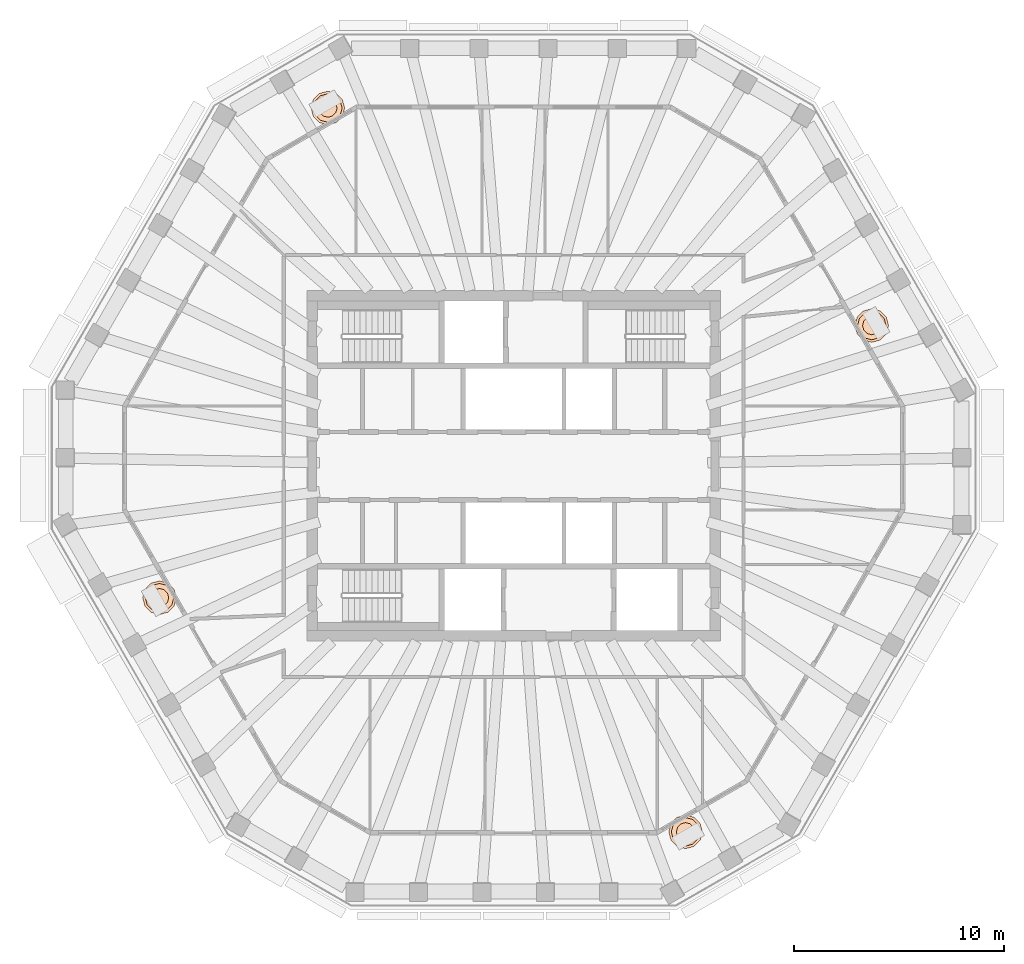
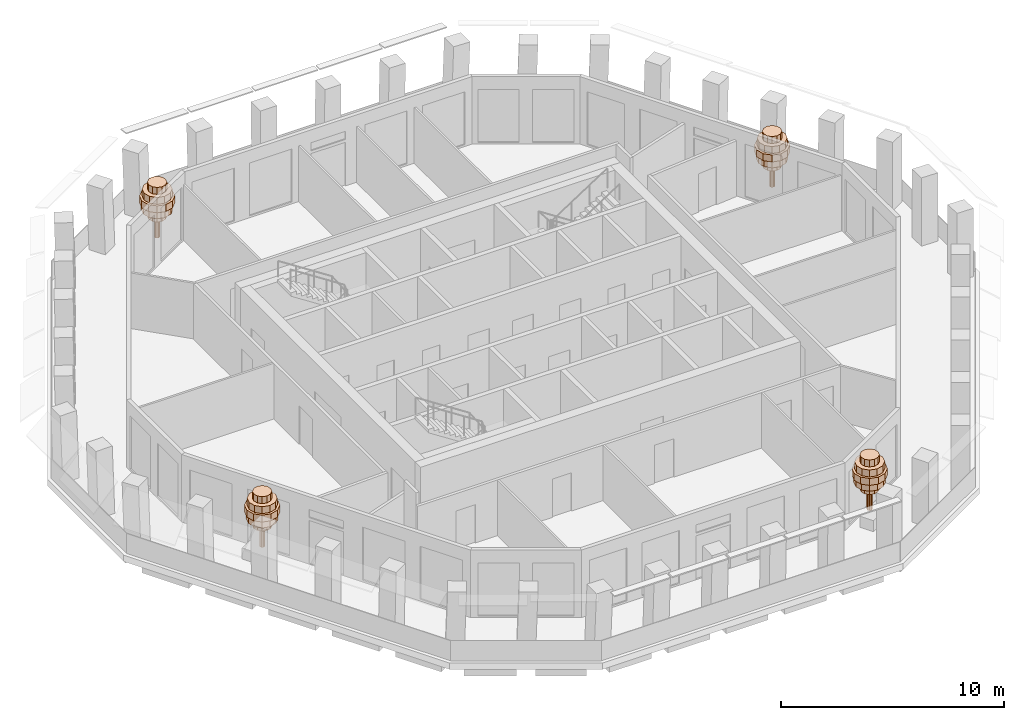
# One storey, part 11 of 11: 4 geographic elements.
"""IFC4 building model written with IfcOpenShell, lengths in metres."""

import ifcopenshell
import ifcopenshell.guid

model = None  # the IFC model being written
_history = None  # IfcOwnerHistory: only IFC2X3 demands one
_inside = {}  # id of a spatial element -> (the spatial element, [elements in it])
_under = {}  # id of a project, library or spatial element -> (it, [spatial elements below it])
_declared = {}  # id of a project -> (the project, [libraries it declares])
_typed = {}  # id of a type object -> (the type object, [elements of that type])
_made_of = {}  # id of a material, layer set ... -> (it, [elements and type objects made of it])


def new_model(schema):
    """Start an empty IFC model of exactly this schema.

    Asked for "IFC4X3", IfcOpenShell would pick the latest addendum, in which some entities
    have other attributes; the version numbers below select the first issue.
    IFC2X3 requires an IfcOwnerHistory on every rooted entity: one is made here for all.
    """
    global model, _history
    if schema == "IFC4X3":
        model = ifcopenshell.file(schema_version=(4, 3, 0, 0))
    else:
        model = ifcopenshell.file(schema=schema)
    _inside.clear()
    _under.clear()
    _declared.clear()
    _typed.clear()
    _made_of.clear()
    _history = None
    if model.schema == "IFC2X3":
        org = make("IfcOrganization", Name="unknown")
        user = make(
            "IfcPersonAndOrganization",
            ThePerson=make("IfcPerson", FamilyName="unknown"),
            TheOrganization=org,
        )
        app = make(
            "IfcApplication",
            ApplicationDeveloper=org,
            Version="unknown",
            ApplicationFullName="unknown",
            ApplicationIdentifier="unknown",
        )
        _history = make(
            "IfcOwnerHistory",
            OwningUser=user,
            OwningApplication=app,
            ChangeAction="ADDED",
            CreationDate=0,
        )
    return model


def make(cls, **values):
    """One entity of the class cls with the attributes given. An attribute that is None is left unset."""
    return model.create_entity(
        cls, **{name: value for name, value in values.items() if value is not None}
    )


def rooted(cls, **values):
    """An entity with a GlobalId (a new one), such as an element, a storey or a relation."""
    return make(cls, GlobalId=ifcopenshell.guid.new(), OwnerHistory=_history, **values)


def si_unit(unit_type, name, prefix=None):
    """IfcSIUnit, for example si_unit("LENGTHUNIT", "METRE", prefix="MILLI")."""
    return make("IfcSIUnit", UnitType=unit_type, Prefix=prefix, Name=name)


def assignment(units):
    """IfcUnitAssignment: the units of a project."""
    return None if units is None else make("IfcUnitAssignment", Units=units)


def point(xyz):
    """IfcCartesianPoint."""
    return None if xyz is None else make("IfcCartesianPoint", Coordinates=xyz)


def direction(xyz):
    """IfcDirection."""
    return None if xyz is None else make("IfcDirection", DirectionRatios=xyz)


def frame(location, z_axis=None, x_axis=None):
    """IfcAxis2Placement3D, a coordinate frame: its origin and axes. An axis left out is left unset."""
    return make(
        "IfcAxis2Placement3D",
        Location=point(location),
        Axis=direction(z_axis),
        RefDirection=direction(x_axis),
    )


def origin():
    """The frame at (0, 0, 0) with its axes left unset."""
    return frame((0.0, 0.0, 0.0))


def place(relative_to, where):
    """IfcLocalPlacement: puts the frame where relative to a parent placement (None: the world)."""
    return make(
        "IfcLocalPlacement", PlacementRelTo=relative_to, RelativePlacement=where
    )


def context(
    kind, dimensions, precision=None, world=None, true_north=None, identifier=None
):
    """IfcGeometricRepresentationContext, for example the 3D "Model" context."""
    return make(
        "IfcGeometricRepresentationContext",
        ContextIdentifier=identifier,
        ContextType=kind,
        CoordinateSpaceDimension=dimensions,
        Precision=precision,
        WorldCoordinateSystem=world,
        TrueNorth=true_north,
    )


def subcontext(parent, identifier, kind, view, scale=None):
    """IfcGeometricRepresentationSubContext, for example "Body" below "Model"."""
    return make(
        "IfcGeometricRepresentationSubContext",
        ContextIdentifier=identifier,
        ContextType=kind,
        ParentContext=parent,
        TargetScale=scale,
        TargetView=view,
    )


def project(units=None, contexts=None):
    """IfcProject with its units and contexts."""
    return rooted(
        "IfcProject",
        Name="project",
        RepresentationContexts=contexts,
        UnitsInContext=assignment(units),
    )


def spatial(cls, under=None, at=None, **own):
    """A site, building, storey or space (cls), placed at a placement, below another one or the project."""
    s = rooted(cls, ObjectPlacement=at, **own)
    if under is not None:
        _under.setdefault(under.id(), (under, []))[1].append(s)
    return s


def polyline(points):
    """IfcPolyline through the points."""
    return make("IfcPolyline", Points=[point(p) for p in points])


def outline(outer, holes=None, kind="AREA"):
    """IfcArbitraryClosedProfileDef: a profile drawn as a closed curve; with holes, ...WithVoids."""
    if holes is None:
        return make("IfcArbitraryClosedProfileDef", ProfileType=kind, OuterCurve=outer)
    return make(
        "IfcArbitraryProfileDefWithVoids",
        ProfileType=kind,
        OuterCurve=outer,
        InnerCurves=holes,
    )


def extrude(swept, where, along, depth):
    """IfcExtrudedAreaSolid: the profile swept, set in the frame where, extruded along a direction by depth."""
    return make(
        "IfcExtrudedAreaSolid",
        SweptArea=swept,
        Position=where,
        ExtrudedDirection=direction(along),
        Depth=depth,
    )


def shape(context_of_items, identifier, shape_type, items):
    """IfcShapeRepresentation: the items that make up one representation, for example the "Body"."""
    return make(
        "IfcShapeRepresentation",
        ContextOfItems=context_of_items,
        RepresentationIdentifier=identifier,
        RepresentationType=shape_type,
        Items=items,
    )


def material(Name=None, Category=None):
    """IfcMaterial."""
    return make("IfcMaterial", Name=Name, Category=Category)


def made_of(thing, what):
    """Note that an element or type object is made of a material, layer set ...; save() writes the relation."""
    if what is not None:
        _made_of.setdefault(what.id(), (what, []))[1].append(thing)
    return thing


def type_object(cls, material=None, **own):
    """A type object (cls), such as IfcWallType, which elements share."""
    return made_of(rooted(cls, **own), material)


def element(
    cls,
    number,
    at=None,
    inside=None,
    cuts=None,
    type_object=None,
    material=None,
    context=None,
    identifier="Body",
    shape_type=None,
    held_by="IfcProductDefinitionShape",
    body=None,
    shapes=None,
    **own,
):
    """One element of the class cls, such as IfcWall. Its Tag is "e" and its number.

    at: its placement. inside: the storey or other place that contains it. cuts: it is an
    opening in that element (IfcRelVoidsElement). A single representation is given by context,
    identifier, shape_type and body (its items); several are given by shapes. held_by: the class
    of the entity that holds the representations. save() writes the other relations.
    """
    e = rooted(cls, Tag="e%d" % number, ObjectPlacement=at, **own)
    if body is not None:
        shapes = [shape(context, identifier, shape_type, body)]
    if shapes is not None:
        e.Representation = make(held_by, Representations=shapes)
    if inside is not None:
        _inside.setdefault(inside.id(), (inside, []))[1].append(e)
    if cuts is not None:
        rooted(
            "IfcRelVoidsElement", RelatingBuildingElement=cuts, RelatedOpeningElement=e
        )
    if type_object is not None:
        _typed.setdefault(type_object.id(), (type_object, []))[1].append(e)
    return made_of(e, material)


def aggregate(whole, parts):
    """IfcRelAggregates: a whole, such as a stair, and the parts it consists of."""
    return rooted("IfcRelAggregates", RelatingObject=whole, RelatedObjects=parts)


def save(model, path):
    """Write the relations noted so far, then the file.

    IfcRelAggregates (storeys below a building ...), IfcRelContainedInSpatialStructure (elements
    in a storey), IfcRelDefinesByType, IfcRelAssociatesMaterial and IfcRelDeclares: one each for
    every whole, place, type object, material and project.
    """
    for whole, parts in _under.values():
        aggregate(whole, parts)
    for where, things in _inside.values():
        rooted(
            "IfcRelContainedInSpatialStructure",
            RelatedElements=things,
            RelatingStructure=where,
        )
    for kind, things in _typed.values():
        rooted("IfcRelDefinesByType", RelatedObjects=things, RelatingType=kind)
    for what, things in _made_of.values():
        rooted("IfcRelAssociatesMaterial", RelatedObjects=things, RelatingMaterial=what)
    for by, libraries in _declared.values():
        rooted("IfcRelDeclares", RelatingContext=by, RelatedDefinitions=libraries)
    model.write(path)


model = new_model("IFC4")

# Units and contexts
model_context = context("Model", 3, precision=1e-05, world=origin(), true_north=direction((0.0, 1.0)))
body_context = subcontext(model_context, "Body", "Model", "MODEL_VIEW")
ifc_project = project(units=[si_unit("LENGTHUNIT", "METRE"), si_unit("AREAUNIT", "SQUARE_METRE"), si_unit("VOLUMEUNIT", "CUBIC_METRE"), si_unit("PLANEANGLEUNIT", "RADIAN"), si_unit("MASSUNIT", "GRAM", prefix="KILO")], contexts=[model_context])

# Site, building, storey
site_placement = place(None, origin())
site = spatial("IfcSite", under=ifc_project, at=site_placement, CompositionType="ELEMENT")
building_placement = place(site_placement, origin())
building = spatial("IfcBuilding", under=site, at=building_placement, Name="Frailejon Research Tower", CompositionType="ELEMENT")
storey_placement = place(building_placement, frame((0.0, 0.0, 320.60009765625)))
storey = spatial("IfcBuildingStorey", under=building, at=storey_placement, Name="L71", CompositionType="ELEMENT", Elevation=320.60009765625)

# Geographic elements
ifc_material = material(Name="Foliage, green")
geographic_element_type = type_object("IfcGeographicElementType", Name="Frailejon tree, loggia", PredefinedType="USERDEFINED", material=ifc_material)
geographic_element_1_placement = place(storey_placement, frame((17.067626953125, 6.69189453125, 0.599853515625)))
element("IfcGeographicElement", 1, at=geographic_element_1_placement, inside=storey, type_object=geographic_element_type, Name="Tree L71", ObjectType="TREE", PredefinedType="USERDEFINED", context=body_context, shape_type="SweptSolid", body=[
    extrude(outline(polyline([(0.1298828125, 0.0), (0.112548828125, 0.06494140625), (0.06494140625, 0.112548828125), (0.0, 0.1298828125), (-0.06494140625, 0.112548828125), (-0.112548828125, 0.06494140625), (-0.1298828125, 0.0), (-0.112548828125, -0.06494140625), (-0.06494140625, -0.112548828125), (0.0, -0.1298828125), (0.06494140625, -0.112548828125), (0.112548828125, -0.06494140625), (0.1298828125, 0.0)])), origin(), (0.0, 0.0, 1.0), 2.239990234375),
    extrude(outline(polyline([(0.43994140625, 0.0), (0.381103515625, 0.219970703125), (0.219970703125, 0.381103515625), (0.0, 0.43994140625), (-0.219970703125, 0.381103515625), (-0.381103515625, 0.219970703125), (-0.43994140625, 0.0), (-0.381103515625, -0.219970703125), (-0.219970703125, -0.381103515625), (0.0, -0.43994140625), (0.219970703125, -0.381103515625), (0.381103515625, -0.219970703125), (0.43994140625, 0.0)])), frame((0.0, 0.0, 1.10009765625)), (0.0, 0.0, 1.0), 0.3798828125),
    extrude(outline(polyline([(0.719970703125, 0.0), (0.62353515625, 0.360107421875), (0.360107421875, 0.62353515625), (0.0, 0.719970703125), (-0.360107421875, 0.62353515625), (-0.62353515625, 0.360107421875), (-0.719970703125, 0.0), (-0.62353515625, -0.360107421875), (-0.360107421875, -0.62353515625), (0.0, -0.719970703125), (0.360107421875, -0.62353515625), (0.62353515625, -0.360107421875), (0.719970703125, 0.0)])), frame((0.0, 0.0, 1.47998046875)), (0.0, 0.0, 1.0), 0.3798828125),
    extrude(outline(polyline([(0.800048828125, 0.0), (0.69287109375, 0.39990234375), (0.39990234375, 0.69287109375), (0.0, 0.800048828125), (-0.39990234375, 0.69287109375), (-0.69287109375, 0.39990234375), (-0.800048828125, 0.0), (-0.69287109375, -0.39990234375), (-0.39990234375, -0.69287109375), (0.0, -0.800048828125), (0.39990234375, -0.69287109375), (0.69287109375, -0.39990234375), (0.800048828125, 0.0)])), frame((0.0, 0.0, 1.860107421875)), (0.0, 0.0, 1.0), 0.3798828125),
    extrude(outline(polyline([(0.679931640625, 0.0), (0.5888671875, 0.340087890625), (0.340087890625, 0.5888671875), (0.0, 0.679931640625), (-0.340087890625, 0.5888671875), (-0.5888671875, 0.340087890625), (-0.679931640625, 0.0), (-0.5888671875, -0.340087890625), (-0.340087890625, -0.5888671875), (0.0, -0.679931640625), (0.340087890625, -0.5888671875), (0.5888671875, -0.340087890625), (0.679931640625, 0.0)])), frame((0.0, 0.0, 2.239990234375)), (0.0, 0.0, 1.0), 0.3798828125),
    extrude(outline(polyline([(0.43994140625, 0.0), (0.381103515625, 0.219970703125), (0.219970703125, 0.381103515625), (0.0, 0.43994140625), (-0.219970703125, 0.381103515625), (-0.381103515625, 0.219970703125), (-0.43994140625, 0.0), (-0.381103515625, -0.219970703125), (-0.219970703125, -0.381103515625), (0.0, -0.43994140625), (0.219970703125, -0.381103515625), (0.381103515625, -0.219970703125), (0.43994140625, 0.0)])), frame((0.0, 0.0, 2.6201171875)), (0.0, 0.0, 1.0), 0.3798828125),
])
geographic_element_2_placement = place(storey_placement, frame((-8.84912109375, 17.0556640625, 0.599853515625)))
element("IfcGeographicElement", 2, at=geographic_element_2_placement, inside=storey, type_object=geographic_element_type, Name="Tree L71", ObjectType="TREE", PredefinedType="USERDEFINED", context=body_context, shape_type="SweptSolid", body=[
    extrude(outline(polyline([(0.1298828125, 0.0), (0.112548828125, 0.06494140625), (0.06494140625, 0.112548828125), (0.0, 0.1298828125), (-0.06494140625, 0.112548828125), (-0.112548828125, 0.06494140625), (-0.1298828125, 0.0), (-0.112548828125, -0.06494140625), (-0.06494140625, -0.112548828125), (0.0, -0.1298828125), (0.06494140625, -0.112548828125), (0.112548828125, -0.06494140625), (0.1298828125, 0.0)])), origin(), (0.0, 0.0, 1.0), 2.239990234375),
    extrude(outline(polyline([(0.43994140625, 0.0), (0.381103515625, 0.219970703125), (0.219970703125, 0.381103515625), (0.0, 0.43994140625), (-0.219970703125, 0.381103515625), (-0.381103515625, 0.219970703125), (-0.43994140625, 0.0), (-0.381103515625, -0.219970703125), (-0.219970703125, -0.381103515625), (0.0, -0.43994140625), (0.219970703125, -0.381103515625), (0.381103515625, -0.219970703125), (0.43994140625, 0.0)])), frame((0.0, 0.0, 1.10009765625)), (0.0, 0.0, 1.0), 0.3798828125),
    extrude(outline(polyline([(0.719970703125, 0.0), (0.62353515625, 0.360107421875), (0.360107421875, 0.62353515625), (0.0, 0.719970703125), (-0.360107421875, 0.62353515625), (-0.62353515625, 0.360107421875), (-0.719970703125, 0.0), (-0.62353515625, -0.360107421875), (-0.360107421875, -0.62353515625), (0.0, -0.719970703125), (0.360107421875, -0.62353515625), (0.62353515625, -0.360107421875), (0.719970703125, 0.0)])), frame((0.0, 0.0, 1.47998046875)), (0.0, 0.0, 1.0), 0.3798828125),
    extrude(outline(polyline([(0.800048828125, 0.0), (0.69287109375, 0.39990234375), (0.39990234375, 0.69287109375), (0.0, 0.800048828125), (-0.39990234375, 0.69287109375), (-0.69287109375, 0.39990234375), (-0.800048828125, 0.0), (-0.69287109375, -0.39990234375), (-0.39990234375, -0.69287109375), (0.0, -0.800048828125), (0.39990234375, -0.69287109375), (0.69287109375, -0.39990234375), (0.800048828125, 0.0)])), frame((0.0, 0.0, 1.860107421875)), (0.0, 0.0, 1.0), 0.3798828125),
    extrude(outline(polyline([(0.679931640625, 0.0), (0.5888671875, 0.340087890625), (0.340087890625, 0.5888671875), (0.0, 0.679931640625), (-0.340087890625, 0.5888671875), (-0.5888671875, 0.340087890625), (-0.679931640625, 0.0), (-0.5888671875, -0.340087890625), (-0.340087890625, -0.5888671875), (0.0, -0.679931640625), (0.340087890625, -0.5888671875), (0.5888671875, -0.340087890625), (0.679931640625, 0.0)])), frame((0.0, 0.0, 2.239990234375)), (0.0, 0.0, 1.0), 0.3798828125),
    extrude(outline(polyline([(0.43994140625, 0.0), (0.381103515625, 0.219970703125), (0.219970703125, 0.381103515625), (0.0, 0.43994140625), (-0.219970703125, 0.381103515625), (-0.381103515625, 0.219970703125), (-0.43994140625, 0.0), (-0.381103515625, -0.219970703125), (-0.219970703125, -0.381103515625), (0.0, -0.43994140625), (0.219970703125, -0.381103515625), (0.381103515625, -0.219970703125), (0.43994140625, 0.0)])), frame((0.0, 0.0, 2.6201171875)), (0.0, 0.0, 1.0), 0.3798828125),
])
geographic_element_3_placement = place(storey_placement, frame((-16.871826171875, -6.277099609375, 0.599853515625)))
element("IfcGeographicElement", 3, at=geographic_element_3_placement, inside=storey, type_object=geographic_element_type, Name="Tree L71", ObjectType="TREE", PredefinedType="USERDEFINED", context=body_context, shape_type="SweptSolid", body=[
    extrude(outline(polyline([(0.1298828125, 0.0), (0.112548828125, 0.06494140625), (0.06494140625, 0.112548828125), (0.0, 0.1298828125), (-0.06494140625, 0.112548828125), (-0.112548828125, 0.06494140625), (-0.1298828125, 0.0), (-0.112548828125, -0.06494140625), (-0.06494140625, -0.112548828125), (0.0, -0.1298828125), (0.06494140625, -0.112548828125), (0.112548828125, -0.06494140625), (0.1298828125, 0.0)])), origin(), (0.0, 0.0, 1.0), 2.239990234375),
    extrude(outline(polyline([(0.43994140625, 0.0), (0.381103515625, 0.219970703125), (0.219970703125, 0.381103515625), (0.0, 0.43994140625), (-0.219970703125, 0.381103515625), (-0.381103515625, 0.219970703125), (-0.43994140625, 0.0), (-0.381103515625, -0.219970703125), (-0.219970703125, -0.381103515625), (0.0, -0.43994140625), (0.219970703125, -0.381103515625), (0.381103515625, -0.219970703125), (0.43994140625, 0.0)])), frame((0.0, 0.0, 1.10009765625)), (0.0, 0.0, 1.0), 0.3798828125),
    extrude(outline(polyline([(0.719970703125, 0.0), (0.62353515625, 0.360107421875), (0.360107421875, 0.62353515625), (0.0, 0.719970703125), (-0.360107421875, 0.62353515625), (-0.62353515625, 0.360107421875), (-0.719970703125, 0.0), (-0.62353515625, -0.360107421875), (-0.360107421875, -0.62353515625), (0.0, -0.719970703125), (0.360107421875, -0.62353515625), (0.62353515625, -0.360107421875), (0.719970703125, 0.0)])), frame((0.0, 0.0, 1.47998046875)), (0.0, 0.0, 1.0), 0.3798828125),
    extrude(outline(polyline([(0.800048828125, 0.0), (0.69287109375, 0.39990234375), (0.39990234375, 0.69287109375), (0.0, 0.800048828125), (-0.39990234375, 0.69287109375), (-0.69287109375, 0.39990234375), (-0.800048828125, 0.0), (-0.69287109375, -0.39990234375), (-0.39990234375, -0.69287109375), (0.0, -0.800048828125), (0.39990234375, -0.69287109375), (0.69287109375, -0.39990234375), (0.800048828125, 0.0)])), frame((0.0, 0.0, 1.860107421875)), (0.0, 0.0, 1.0), 0.3798828125),
    extrude(outline(polyline([(0.679931640625, 0.0), (0.5888671875, 0.340087890625), (0.340087890625, 0.5888671875), (0.0, 0.679931640625), (-0.340087890625, 0.5888671875), (-0.5888671875, 0.340087890625), (-0.679931640625, 0.0), (-0.5888671875, -0.340087890625), (-0.340087890625, -0.5888671875), (0.0, -0.679931640625), (0.340087890625, -0.5888671875), (0.5888671875, -0.340087890625), (0.679931640625, 0.0)])), frame((0.0, 0.0, 2.239990234375)), (0.0, 0.0, 1.0), 0.3798828125),
    extrude(outline(polyline([(0.43994140625, 0.0), (0.381103515625, 0.219970703125), (0.219970703125, 0.381103515625), (0.0, 0.43994140625), (-0.219970703125, 0.381103515625), (-0.381103515625, 0.219970703125), (-0.43994140625, 0.0), (-0.381103515625, -0.219970703125), (-0.219970703125, -0.381103515625), (0.0, -0.43994140625), (0.219970703125, -0.381103515625), (0.381103515625, -0.219970703125), (0.43994140625, 0.0)])), frame((0.0, 0.0, 2.6201171875)), (0.0, 0.0, 1.0), 0.3798828125),
])
geographic_element_4_placement = place(storey_placement, frame((8.196044921875, -17.432861328125, 0.599853515625)))
element("IfcGeographicElement", 4, at=geographic_element_4_placement, inside=storey, type_object=geographic_element_type, Name="Tree L71", ObjectType="TREE", PredefinedType="USERDEFINED", context=body_context, shape_type="SweptSolid", body=[
    extrude(outline(polyline([(0.1298828125, 0.0), (0.112548828125, 0.06494140625), (0.06494140625, 0.112548828125), (0.0, 0.1298828125), (-0.06494140625, 0.112548828125), (-0.112548828125, 0.06494140625), (-0.1298828125, 0.0), (-0.112548828125, -0.06494140625), (-0.06494140625, -0.112548828125), (0.0, -0.1298828125), (0.06494140625, -0.112548828125), (0.112548828125, -0.06494140625), (0.1298828125, 0.0)])), origin(), (0.0, 0.0, 1.0), 2.239990234375),
    extrude(outline(polyline([(0.43994140625, 0.0), (0.381103515625, 0.219970703125), (0.219970703125, 0.381103515625), (0.0, 0.43994140625), (-0.219970703125, 0.381103515625), (-0.381103515625, 0.219970703125), (-0.43994140625, 0.0), (-0.381103515625, -0.219970703125), (-0.219970703125, -0.381103515625), (0.0, -0.43994140625), (0.219970703125, -0.381103515625), (0.381103515625, -0.219970703125), (0.43994140625, 0.0)])), frame((0.0, 0.0, 1.10009765625)), (0.0, 0.0, 1.0), 0.3798828125),
    extrude(outline(polyline([(0.719970703125, 0.0), (0.62353515625, 0.360107421875), (0.360107421875, 0.62353515625), (0.0, 0.719970703125), (-0.360107421875, 0.62353515625), (-0.62353515625, 0.360107421875), (-0.719970703125, 0.0), (-0.62353515625, -0.360107421875), (-0.360107421875, -0.62353515625), (0.0, -0.719970703125), (0.360107421875, -0.62353515625), (0.62353515625, -0.360107421875), (0.719970703125, 0.0)])), frame((0.0, 0.0, 1.47998046875)), (0.0, 0.0, 1.0), 0.3798828125),
    extrude(outline(polyline([(0.800048828125, 0.0), (0.69287109375, 0.39990234375), (0.39990234375, 0.69287109375), (0.0, 0.800048828125), (-0.39990234375, 0.69287109375), (-0.69287109375, 0.39990234375), (-0.800048828125, 0.0), (-0.69287109375, -0.39990234375), (-0.39990234375, -0.69287109375), (0.0, -0.800048828125), (0.39990234375, -0.69287109375), (0.69287109375, -0.39990234375), (0.800048828125, 0.0)])), frame((0.0, 0.0, 1.860107421875)), (0.0, 0.0, 1.0), 0.3798828125),
    extrude(outline(polyline([(0.679931640625, 0.0), (0.5888671875, 0.340087890625), (0.340087890625, 0.5888671875), (0.0, 0.679931640625), (-0.340087890625, 0.5888671875), (-0.5888671875, 0.340087890625), (-0.679931640625, 0.0), (-0.5888671875, -0.340087890625), (-0.340087890625, -0.5888671875), (0.0, -0.679931640625), (0.340087890625, -0.5888671875), (0.5888671875, -0.340087890625), (0.679931640625, 0.0)])), frame((0.0, 0.0, 2.239990234375)), (0.0, 0.0, 1.0), 0.3798828125),
    extrude(outline(polyline([(0.43994140625, 0.0), (0.381103515625, 0.219970703125), (0.219970703125, 0.381103515625), (0.0, 0.43994140625), (-0.219970703125, 0.381103515625), (-0.381103515625, 0.219970703125), (-0.43994140625, 0.0), (-0.381103515625, -0.219970703125), (-0.219970703125, -0.381103515625), (0.0, -0.43994140625), (0.219970703125, -0.381103515625), (0.381103515625, -0.219970703125), (0.43994140625, 0.0)])), frame((0.0, 0.0, 2.6201171875)), (0.0, 0.0, 1.0), 0.3798828125),
])

save(model, "model.ifc")
